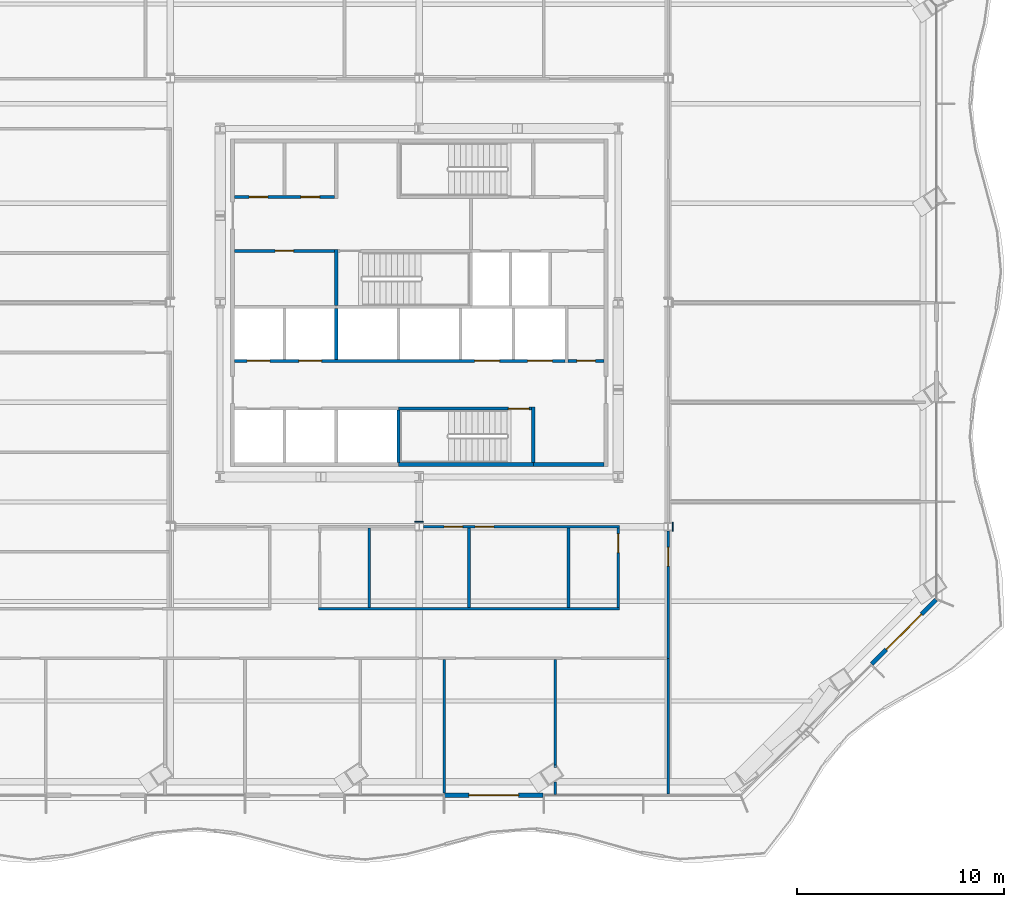
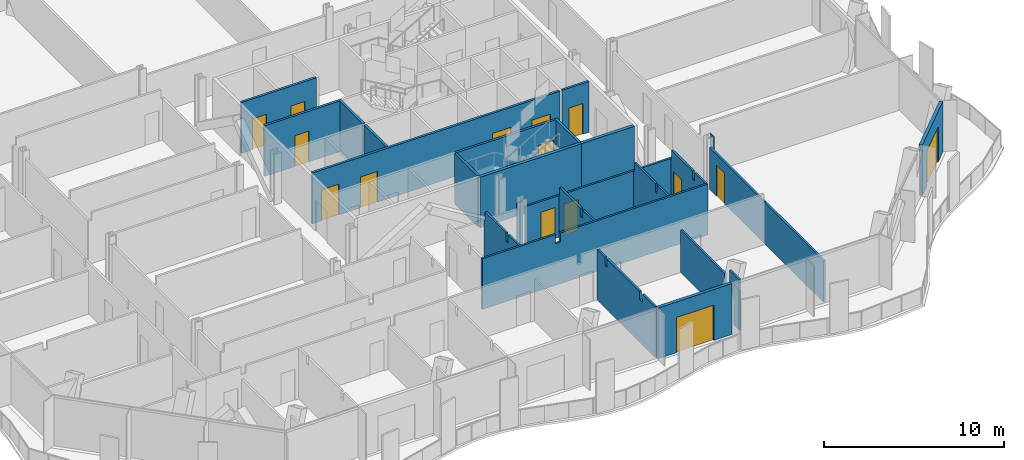
# One storey, part 8 of 20: 26 walls, 15 doors, 15 openings.
"""IFC4 building model written with IfcOpenShell, lengths in metres."""

from ifc_helpers import new_model, si_unit, direction, frame, frame_2d, origin, place, context, subcontext, project, spatial, polyline, rectangle, outline, extrude, material, layer, layer_set, type_object, element, fill, save


model = new_model("IFC4")

# Units and contexts
model_context = context("Model", 3, precision=1e-05, world=origin(), true_north=direction((0.0, 1.0)))
body_context = subcontext(model_context, "Body", "Model", "MODEL_VIEW")
ifc_project = project(units=[si_unit("LENGTHUNIT", "METRE"), si_unit("AREAUNIT", "SQUARE_METRE"), si_unit("VOLUMEUNIT", "CUBIC_METRE"), si_unit("PLANEANGLEUNIT", "RADIAN"), si_unit("MASSUNIT", "GRAM", prefix="KILO")], contexts=[model_context])

# Site, building, storey
site_placement = place(None, origin())
site = spatial("IfcSite", under=ifc_project, at=site_placement, CompositionType="ELEMENT")
building_placement = place(site_placement, origin())
building = spatial("IfcBuilding", under=site, at=building_placement, Name="Cairn Pilgrim Tower", CompositionType="ELEMENT")
storey_placement = place(building_placement, frame((0.0, 0.0, 101.39990234375)))
storey = spatial("IfcBuildingStorey", under=building, at=storey_placement, Name="L24", CompositionType="ELEMENT", Elevation=101.39990234375)

# Wall, opening, door
ifc_material_1 = material(Name="Bronze anodised aluminium insulated sandwich panel with mineral wool fill", Category="aluminium")
ifc_layer_1 = layer(ifc_material_1, 0.199951171875)
ifc_layer_set_1 = layer_set([ifc_layer_1], Name="BRONZE INFILL FRAME WALL 200")
wall_type_1 = type_object("IfcWallType", Name="BRONZE INFILL FRAME WALL 200", PredefinedType="NOTDEFINED", material=ifc_layer_set_1)
wall_1_placement = place(storey_placement, frame((8.429931640625, -21.35009765625, 0.0), z_axis=(0.0, 0.0, 1.0), x_axis=(1.0, 0.0, 0.0)))
wall_1 = element("IfcWall", 1, at=wall_1_placement, inside=storey, type_object=wall_type_1, Name="Bronze infill frame wall IW-S6", PredefinedType="NOTDEFINED", context=body_context, shape_type="SweptSolid", body=[
    extrude(rectangle(XDim=4.739990234375, YDim=0.199951171875, at=frame_2d((2.3701171875, 0.0))), origin(), (0.0, 0.0, 1.0), 3.4501953125),
])
opening_1_placement = place(wall_1_placement, frame((1.169921875, 0.0, 0.0)))
opening_1 = element("IfcOpeningElement", 2, at=opening_1_placement, cuts=wall_1, Name="Opening 2407B", PredefinedType="OPENING", context=body_context, shape_type="SweptSolid", body=[
    extrude(rectangle(XDim=2.39990234375, YDim=2.39990234375, at=frame_2d((1.199951171875, 1.199951171875))), frame((0.0, 0.10986328125, 0.0), z_axis=(0.0, -1.0, 0.0), x_axis=(1.0, 0.0, 0.0)), (0.0, 0.0, 1.0), 0.219970703125),
])
ifc_material_2 = material(Name="Bronze anodised aluminium frame with tinted low-E glass", Category="aluminium")
door_type_1 = type_object("IfcDoorType", Name="BALCONY SLIDING DOOR 2400x2400", OperationType="DOUBLE_DOOR_SLIDING", PredefinedType="DOOR", material=ifc_material_2)
door_1_placement = place(opening_1_placement, origin())
door_1 = element("IfcDoor", 3, at=door_1_placement, inside=storey, type_object=door_type_1, Name="Balcony sliding door 2407B", OperationType="SINGLE_SWING_LEFT", OverallHeight=2.39990234375, OverallWidth=2.39990234375, PredefinedType="DOOR", context=body_context, shape_type="SweptSolid", body=[
    extrude(rectangle(XDim=2.39990234375, YDim=2.39990234375, at=frame_2d((1.199951171875, 1.199951171875))), frame((0.0, 0.02490234375, 0.0), z_axis=(0.0, -1.0, 0.0), x_axis=(1.0, 0.0, 0.0)), (0.0, 0.0, 1.0), 0.050048828125),
])
fill(opening_1, door_1)

wall_2_placement = place(storey_placement, frame((29.02001953125, -15.0263671875, 0.0), z_axis=(0.0, 0.0, 1.0), x_axis=(0.707134609628, 0.70707895165, 0.0)))
wall_2 = element("IfcWall", 4, at=wall_2_placement, inside=storey, type_object=wall_type_1, Name="Bronze infill frame wall IW-SE3", PredefinedType="NOTDEFINED", context=body_context, shape_type="SweptSolid", body=[
    extrude(rectangle(XDim=4.386474609375, YDim=0.199951171875, at=frame_2d((2.193359375, 0.0))), origin(), (0.0, 0.0, 1.0), 3.4501953125),
])
opening_2_placement = place(wall_2_placement, frame((0.998046875, 0.0, 0.0)))
opening_2 = element("IfcOpeningElement", 5, at=opening_2_placement, cuts=wall_2, Name="Opening 2421B", PredefinedType="OPENING", context=body_context, shape_type="SweptSolid", body=[
    extrude(rectangle(XDim=2.39990234375, YDim=2.39990234375, at=frame_2d((1.199951171875, 1.199951171875))), frame((0.0, 0.10986328125, 0.0), z_axis=(0.0, -1.0, 0.0), x_axis=(1.0, 0.0, 0.0)), (0.0, 0.0, 1.0), 0.219970703125),
])
door_2_placement = place(opening_2_placement, origin())
door_2 = element("IfcDoor", 6, at=door_2_placement, inside=storey, type_object=door_type_1, Name="Balcony sliding door 2421B", OperationType="SINGLE_SWING_LEFT", OverallHeight=2.39990234375, OverallWidth=2.39990234375, PredefinedType="DOOR", context=body_context, shape_type="SweptSolid", body=[
    extrude(rectangle(XDim=2.39990234375, YDim=2.39990234375, at=frame_2d((1.199951171875, 1.199951171875))), frame((0.0, 0.02490234375, 0.0), z_axis=(0.0, -1.0, 0.0), x_axis=(1.0, 0.0, 0.0)), (0.0, 0.0, 1.0), 0.050048828125),
])
fill(opening_2, door_2)

# Wall
ifc_material_3 = material(Name="Concrete C32/40", Category="concrete")
ifc_layer_2 = layer(ifc_material_3, 0.199951171875)
ifc_layer_set_2 = layer_set([ifc_layer_2], Name="CORE OUTER WALL 200 EI 120")
wall_type_2 = type_object("IfcWallType", Name="CORE OUTER WALL 200 EI 120", PredefinedType="SOLIDWALL", material=ifc_layer_set_2)
wall_3_placement = place(storey_placement, frame((12.699951171875, -5.39990234375, 0.0), z_axis=(0.0, 0.0, 1.0), x_axis=(1.0, 0.0, 0.0)))
element("IfcWall", 7, at=wall_3_placement, inside=storey, type_object=wall_type_2, Name="CW:L24:H01-3", PredefinedType="SOLIDWALL", context=body_context, shape_type="SweptSolid", body=[
    extrude(rectangle(XDim=3.400146484375, YDim=0.199951171875, at=frame_2d((1.7001953125, 0.0))), origin(), (0.0, 0.0, 1.0), 3.4501953125),
])

# Wall, opening, door
ifc_layer_3 = layer(ifc_material_3, 0.14990234375)
ifc_layer_set_3 = layer_set([ifc_layer_3], Name="CORE PARTITION 150 EI 60")
wall_type_3 = type_object("IfcWallType", Name="CORE PARTITION 150 EI 60", PredefinedType="PARTITIONING", material=ifc_layer_set_3)
wall_4_placement = place(storey_placement, frame((14.375, -0.39990234375, 0.0), z_axis=(0.0, 0.0, 1.0), x_axis=(1.0, 0.0, 0.0)))
wall_4 = element("IfcWall", 8, at=wall_4_placement, inside=storey, type_object=wall_type_3, Name="CW:L24:H04", PredefinedType="PARTITIONING", context=body_context, shape_type="SweptSolid", body=[
    extrude(rectangle(XDim=1.72509765625, YDim=0.14990234375, at=frame_2d((0.862548828125, 0.0))), origin(), (0.0, 0.0, 1.0), 3.4501953125),
])
opening_3_placement = place(wall_4_placement, frame((0.425048828125, 0.0, 0.0)))
opening_3 = element("IfcOpeningElement", 9, at=opening_3_placement, cuts=wall_4, Name="Opening RD-R2E", PredefinedType="OPENING", context=body_context, shape_type="SweptSolid", body=[
    extrude(rectangle(XDim=0.89990234375, YDim=2.10009765625, at=frame_2d((0.449951171875, 1.050048828125))), frame((0.0, 0.0849609375, 0.0), z_axis=(0.0, -1.0, 0.0), x_axis=(1.0, 0.0, 0.0)), (0.0, 0.0, 1.0), 0.169921875),
])
ifc_material_4 = material(Name="Painted steel", Category="steel")
door_type_2 = type_object("IfcDoorType", Name="SERVICE ROOM DOOR 900x2100", OperationType="SINGLE_SWING_LEFT", PredefinedType="DOOR", material=ifc_material_4)
door_3_placement = place(opening_3_placement, origin())
door_3 = element("IfcDoor", 10, at=door_3_placement, inside=storey, type_object=door_type_2, Name="RD-R2E", OperationType="SINGLE_SWING_RIGHT", OverallHeight=2.10009765625, OverallWidth=0.89990234375, PredefinedType="DOOR", context=body_context, shape_type="SweptSolid", body=[
    extrude(rectangle(XDim=0.89990234375, YDim=2.10009765625, at=frame_2d((0.449951171875, 1.050048828125))), frame((0.0, 0.02490234375, 0.0), z_axis=(0.0, -1.0, 0.0), x_axis=(1.0, 0.0, 0.0)), (0.0, 0.0, 1.0), 0.050048828125),
])
fill(opening_3, door_3)

wall_5_placement = place(storey_placement, frame((-1.699951171875, 4.89990234375, 0.0), z_axis=(0.0, 0.0, 1.0), x_axis=(1.0, 0.0, 0.0)))
wall_5 = element("IfcWall", 11, at=wall_5_placement, inside=storey, type_object=wall_type_3, Name="CW:L24:H07", PredefinedType="PARTITIONING", context=body_context, shape_type="SweptSolid", body=[
    extrude(rectangle(XDim=4.824951171875, YDim=0.14990234375, at=frame_2d((2.41259765625, 0.0))), origin(), (0.0, 0.0, 1.0), 3.4501953125),
])
opening_4_placement = place(wall_5_placement, frame((1.949951171875, 0.0, 0.0)))
opening_4 = element("IfcOpeningElement", 12, at=opening_4_placement, cuts=wall_5, Name="Opening RD-R3W1", PredefinedType="OPENING", context=body_context, shape_type="SweptSolid", body=[
    extrude(rectangle(XDim=0.89990234375, YDim=2.10009765625, at=frame_2d((0.449951171875, 1.050048828125))), frame((0.0, 0.0849609375, 0.0), z_axis=(0.0, -1.0, 0.0), x_axis=(1.0, 0.0, 0.0)), (0.0, 0.0, 1.0), 0.169921875),
])
door_4_placement = place(opening_4_placement, origin())
door_4 = element("IfcDoor", 13, at=door_4_placement, inside=storey, type_object=door_type_2, Name="RD-R3W1", OperationType="SINGLE_SWING_LEFT", OverallHeight=2.10009765625, OverallWidth=0.89990234375, PredefinedType="DOOR", context=body_context, shape_type="SweptSolid", body=[
    extrude(rectangle(XDim=0.89990234375, YDim=2.10009765625, at=frame_2d((0.449951171875, 1.050048828125))), frame((0.0, 0.02490234375, 0.0), z_axis=(0.0, -1.0, 0.0), x_axis=(1.0, 0.0, 0.0)), (0.0, 0.0, 1.0), 0.050048828125),
])
fill(opening_4, door_4)

# Wall, openings, doors
wall_6_placement = place(storey_placement, frame((-1.699951171875, 7.5, 0.0), z_axis=(0.0, 0.0, 1.0), x_axis=(1.0, 0.0, 0.0)))
wall_6 = element("IfcWall", 14, at=wall_6_placement, inside=storey, type_object=wall_type_3, Name="CW:L24:H09", PredefinedType="PARTITIONING", context=body_context, shape_type="SweptSolid", body=[
    extrude(rectangle(XDim=4.824951171875, YDim=0.14990234375, at=frame_2d((2.41259765625, 0.0))), origin(), (0.0, 0.0, 1.0), 3.4501953125),
])
opening_5_placement = place(wall_6_placement, frame((0.699951171875, 0.0, 0.0)))
opening_5 = element("IfcOpeningElement", 15, at=opening_5_placement, cuts=wall_6, Name="Opening RD-R4W1", PredefinedType="OPENING", context=body_context, shape_type="SweptSolid", body=[
    extrude(rectangle(XDim=0.89990234375, YDim=2.10009765625, at=frame_2d((0.449951171875, 1.050048828125))), frame((0.0, 0.0849609375, 0.0), z_axis=(0.0, -1.0, 0.0), x_axis=(1.0, 0.0, 0.0)), (0.0, 0.0, 1.0), 0.169921875),
])
opening_6_placement = place(wall_6_placement, frame((3.199951171875, 0.0, 0.0)))
opening_6 = element("IfcOpeningElement", 16, at=opening_6_placement, cuts=wall_6, Name="Opening RD-R4W2", PredefinedType="OPENING", context=body_context, shape_type="SweptSolid", body=[
    extrude(rectangle(XDim=0.89990234375, YDim=2.10009765625, at=frame_2d((0.449951171875, 1.050048828125))), frame((0.0, 0.0849609375, 0.0), z_axis=(0.0, -1.0, 0.0), x_axis=(1.0, 0.0, 0.0)), (0.0, 0.0, 1.0), 0.169921875),
])
door_5_placement = place(opening_5_placement, origin())
door_5 = element("IfcDoor", 17, at=door_5_placement, inside=storey, type_object=door_type_2, Name="RD-R4W1", OperationType="SINGLE_SWING_RIGHT", OverallHeight=2.10009765625, OverallWidth=0.89990234375, PredefinedType="DOOR", context=body_context, shape_type="SweptSolid", body=[
    extrude(rectangle(XDim=0.89990234375, YDim=2.10009765625, at=frame_2d((0.449951171875, 1.050048828125))), frame((0.0, 0.02490234375, 0.0), z_axis=(0.0, -1.0, 0.0), x_axis=(1.0, 0.0, 0.0)), (0.0, 0.0, 1.0), 0.050048828125),
])
fill(opening_5, door_5)
door_6_placement = place(opening_6_placement, origin())
door_6 = element("IfcDoor", 18, at=door_6_placement, inside=storey, type_object=door_type_2, Name="RD-R4W2", OperationType="SINGLE_SWING_LEFT", OverallHeight=2.10009765625, OverallWidth=0.89990234375, PredefinedType="DOOR", context=body_context, shape_type="SweptSolid", body=[
    extrude(rectangle(XDim=0.89990234375, YDim=2.10009765625, at=frame_2d((0.449951171875, 1.050048828125))), frame((0.0, 0.02490234375, 0.0), z_axis=(0.0, -1.0, 0.0), x_axis=(1.0, 0.0, 0.0)), (0.0, 0.0, 1.0), 0.050048828125),
])
fill(opening_6, door_6)

ifc_layer_4 = layer(ifc_material_3, 0.14990234375)
ifc_layer_set_4 = layer_set([ifc_layer_4], Name="CORE SHAFT WALL 150 EI 120")
wall_type_4 = type_object("IfcWallType", Name="CORE SHAFT WALL 150 EI 120", PredefinedType="SOLIDWALL", material=ifc_layer_set_4)
wall_7_placement = place(storey_placement, frame((-1.699951171875, -0.39990234375, 0.0), z_axis=(0.0, 0.0, 1.0), x_axis=(1.0, 0.0, 0.0)))
wall_7 = element("IfcWall", 19, at=wall_7_placement, inside=storey, type_object=wall_type_4, Name="CW:L24:H03", PredefinedType="SOLIDWALL", context=body_context, shape_type="SweptSolid", body=[
    extrude(rectangle(XDim=15.925048828125, YDim=0.14990234375, at=frame_2d((7.96240234375, 0.0))), origin(), (0.0, 0.0, 1.0), 3.4501953125),
])
opening_7_placement = place(wall_7_placement, frame((0.60009765625, 0.0, 0.0)))
opening_7 = element("IfcOpeningElement", 20, at=opening_7_placement, cuts=wall_7, Name="Opening LD-LR3", PredefinedType="OPENING", context=body_context, shape_type="SweptSolid", body=[
    extrude(rectangle(XDim=1.10009765625, YDim=2.10009765625, at=frame_2d((0.550048828125, 1.050048828125))), frame((0.0, 0.0849609375, 0.0), z_axis=(0.0, -1.0, 0.0), x_axis=(1.0, 0.0, 0.0)), (0.0, 0.0, 1.0), 0.169921875),
])
opening_8_placement = place(wall_7_placement, frame((3.10009765625, 0.0, 0.0)))
opening_8 = element("IfcOpeningElement", 21, at=opening_8_placement, cuts=wall_7, Name="Opening LD-LR4", PredefinedType="OPENING", context=body_context, shape_type="SweptSolid", body=[
    extrude(rectangle(XDim=1.10009765625, YDim=2.10009765625, at=frame_2d((0.550048828125, 1.050048828125))), frame((0.0, 0.0849609375, 0.0), z_axis=(0.0, -1.0, 0.0), x_axis=(1.0, 0.0, 0.0)), (0.0, 0.0, 1.0), 0.169921875),
])
opening_9_placement = place(wall_7_placement, frame((11.574951171875, 0.0, 0.0)))
opening_9 = element("IfcOpeningElement", 22, at=opening_9_placement, cuts=wall_7, Name="Opening LD-SV1", PredefinedType="OPENING", context=body_context, shape_type="SweptSolid", body=[
    extrude(rectangle(XDim=1.199951171875, YDim=2.10009765625, at=frame_2d((0.60009765625, 1.050048828125))), frame((0.0, 0.0849609375, 0.0), z_axis=(0.0, -1.0, 0.0), x_axis=(1.0, 0.0, 0.0)), (0.0, 0.0, 1.0), 0.169921875),
])
opening_10_placement = place(wall_7_placement, frame((14.125, 0.0, 0.0)))
opening_10 = element("IfcOpeningElement", 23, at=opening_10_placement, cuts=wall_7, Name="Opening LD-SV2", PredefinedType="OPENING", context=body_context, shape_type="SweptSolid", body=[
    extrude(rectangle(XDim=1.199951171875, YDim=2.10009765625, at=frame_2d((0.60009765625, 1.050048828125))), frame((0.0, 0.0849609375, 0.0), z_axis=(0.0, -1.0, 0.0), x_axis=(1.0, 0.0, 0.0)), (0.0, 0.0, 1.0), 0.169921875),
])
ifc_material_5 = material(Name="Stainless steel", Category="steel")
door_type_3 = type_object("IfcDoorType", Name="LIFT LANDING DOOR 1100x2100", OperationType="DOUBLE_DOOR_SLIDING", PredefinedType="DOOR", material=ifc_material_5)
door_7_placement = place(opening_7_placement, origin())
door_7 = element("IfcDoor", 24, at=door_7_placement, inside=storey, type_object=door_type_3, Name="LANDING DOOR LR3", OperationType="DOUBLE_DOOR_SLIDING", OverallHeight=2.10009765625, OverallWidth=1.10009765625, PredefinedType="DOOR", context=body_context, shape_type="SweptSolid", body=[
    extrude(rectangle(XDim=1.10009765625, YDim=2.10009765625, at=frame_2d((0.550048828125, 1.050048828125))), frame((0.0, 0.02490234375, 0.0), z_axis=(0.0, -1.0, 0.0), x_axis=(1.0, 0.0, 0.0)), (0.0, 0.0, 1.0), 0.050048828125),
])
fill(opening_7, door_7)
door_8_placement = place(opening_8_placement, origin())
door_8 = element("IfcDoor", 25, at=door_8_placement, inside=storey, type_object=door_type_3, Name="LANDING DOOR LR4", OperationType="DOUBLE_DOOR_SLIDING", OverallHeight=2.10009765625, OverallWidth=1.10009765625, PredefinedType="DOOR", context=body_context, shape_type="SweptSolid", body=[
    extrude(rectangle(XDim=1.10009765625, YDim=2.10009765625, at=frame_2d((0.550048828125, 1.050048828125))), frame((0.0, 0.02490234375, 0.0), z_axis=(0.0, -1.0, 0.0), x_axis=(1.0, 0.0, 0.0)), (0.0, 0.0, 1.0), 0.050048828125),
])
fill(opening_8, door_8)
door_type_4 = type_object("IfcDoorType", Name="LIFT LANDING DOOR 1200x2100", OperationType="DOUBLE_DOOR_SLIDING", PredefinedType="DOOR", material=ifc_material_5)
door_9_placement = place(opening_9_placement, origin())
door_9 = element("IfcDoor", 26, at=door_9_placement, inside=storey, type_object=door_type_4, Name="LANDING DOOR SV1", OperationType="DOUBLE_DOOR_SLIDING", OverallHeight=2.10009765625, OverallWidth=1.199951171875, PredefinedType="DOOR", context=body_context, shape_type="SweptSolid", body=[
    extrude(rectangle(XDim=1.199951171875, YDim=2.10009765625, at=frame_2d((0.60009765625, 1.050048828125))), frame((0.0, 0.02490234375, 0.0), z_axis=(0.0, -1.0, 0.0), x_axis=(1.0, 0.0, 0.0)), (0.0, 0.0, 1.0), 0.050048828125),
])
fill(opening_9, door_9)
door_10_placement = place(opening_10_placement, origin())
door_10 = element("IfcDoor", 27, at=door_10_placement, inside=storey, type_object=door_type_4, Name="LANDING DOOR SV2", OperationType="DOUBLE_DOOR_SLIDING", OverallHeight=2.10009765625, OverallWidth=1.199951171875, PredefinedType="DOOR", context=body_context, shape_type="SweptSolid", body=[
    extrude(rectangle(XDim=1.199951171875, YDim=2.10009765625, at=frame_2d((0.60009765625, 1.050048828125))), frame((0.0, 0.02490234375, 0.0), z_axis=(0.0, -1.0, 0.0), x_axis=(1.0, 0.0, 0.0)), (0.0, 0.0, 1.0), 0.050048828125),
])
fill(opening_10, door_10)

# Walls
wall_8_placement = place(storey_placement, frame((3.199951171875, -0.324951171875, 0.0), z_axis=(0.0, 0.0, 1.0), x_axis=(0.0, 1.0, 0.0)))
element("IfcWall", 28, at=wall_8_placement, inside=storey, type_object=wall_type_4, Name="CW:L24:V17", PredefinedType="SOLIDWALL", context=body_context, shape_type="SweptSolid", body=[
    extrude(rectangle(XDim=2.449951171875, YDim=0.14990234375, at=frame_2d((1.22509765625, 0.0))), origin(), (0.0, 0.0, 1.0), 3.4501953125),
])
ifc_material_6 = material(Name="Gypsum partition")
ifc_layer_5 = layer(ifc_material_6, 0.125)
ifc_layer_set_5 = layer_set([ifc_layer_5], Name="PARTITION 125 DRYWALL EI 60")
wall_type_5 = type_object("IfcWallType", Name="PARTITION 125 DRYWALL EI 60", PredefinedType="PARTITIONING", material=ifc_layer_set_5)
wall_9_placement = place(storey_placement, frame((13.77001953125, -21.302978515625, 0.0), z_axis=(0.0, 0.0, 1.0), x_axis=(0.0, 1.0, 0.0)))
element("IfcWall", 29, at=wall_9_placement, inside=storey, type_object=wall_type_5, Name="PARTITION W004", PredefinedType="PARTITIONING", context=body_context, shape_type="SweptSolid", body=[
    extrude(outline(polyline([(0.0, 0.0), (0.5849609375, 0.0), (0.5849609375, 0.862548828125), (0.5849609375, 1.72509765625), (1.059326171875, 2.587646484375), (1.059326171875, 3.4501953125), (0.0, 3.4501953125), (0.0, 2.587646484375), (0.0, 1.72509765625), (0.0, 0.862548828125), (0.0, 0.0)])), frame((0.0, 0.0625, 0.0), z_axis=(0.0, -1.0, 0.0), x_axis=(1.0, 0.0, 0.0)), (0.0, 0.0, 1.0), 0.125),
])
wall_10_placement = place(storey_placement, frame((19.199951171875, -21.2900390625, 0.0), z_axis=(0.0, 0.0, 1.0), x_axis=(0.0, 1.0, 0.0)))
element("IfcWall", 30, at=wall_10_placement, inside=storey, type_object=wall_type_5, Name="PARTITION W005", PredefinedType="PARTITIONING", context=body_context, shape_type="SweptSolid", body=[
    extrude(rectangle(XDim=6.5400390625, YDim=0.125, at=frame_2d((3.27001953125, 0.0))), origin(), (0.0, 0.0, 1.0), 2.830078125),
])
wall_11_placement = place(storey_placement, frame((8.39990234375, -21.25, 0.0), z_axis=(0.0, 0.0, 1.0), x_axis=(0.0, 1.0, 0.0)))
element("IfcWall", 31, at=wall_11_placement, inside=storey, type_object=wall_type_5, Name="PARTITION W008", PredefinedType="PARTITIONING", context=body_context, shape_type="SweptSolid", body=[
    extrude(outline(polyline([(0.0, 0.0), (6.4375, 0.0), (6.4375, 3.4501953125), (5.563720703125, 3.4501953125), (5.5615234375, 2.880126953125), (5.353515625, 2.880126953125), (5.3515625, 3.4501953125), (1.70849609375, 3.4501953125), (1.70654296875, 2.93017578125), (1.40869140625, 2.93017578125), (1.406494140625, 3.4501953125), (0.0, 3.4501953125), (0.0, 0.0)])), frame((0.0, 0.0625, 0.0), z_axis=(0.0, -1.0, 0.0), x_axis=(1.0, 0.0, 0.0)), (0.0, 0.0, 1.0), 0.125),
])
wall_12_placement = place(storey_placement, frame((13.77001953125, -20.010986328125, 0.0), z_axis=(0.0, 0.0, 1.0), x_axis=(0.0, 1.0, 0.0)))
element("IfcWall", 32, at=wall_12_placement, inside=storey, type_object=wall_type_5, Name="PARTITION W012", PredefinedType="PARTITIONING", context=body_context, shape_type="SweptSolid", body=[
    extrude(outline(polyline([(0.0, 0.0), (5.198486328125, 0.0), (5.198486328125, 0.862548828125), (5.198486328125, 1.72509765625), (5.198486328125, 2.587646484375), (5.198486328125, 2.880126953125), (0.337646484375, 2.880126953125), (0.337646484375, 2.587646484375), (0.337646484375, 1.72509765625), (0.0, 0.862548828125), (0.0, 0.0)])), frame((0.0, 0.0625, 0.0), z_axis=(0.0, -1.0, 0.0), x_axis=(1.0, 0.0, 0.0)), (0.0, 0.0, 1.0), 0.125),
])

# Wall, opening, door
wall_13_placement = place(storey_placement, frame((19.199951171875, -14.75, 0.0), z_axis=(0.0, 0.0, 1.0), x_axis=(0.0, 1.0, 0.0)))
wall_13 = element("IfcWall", 33, at=wall_13_placement, inside=storey, type_object=wall_type_5, Name="PARTITION W016", PredefinedType="PARTITIONING", context=body_context, shape_type="SweptSolid", body=[
    extrude(rectangle(XDim=6.137451171875, YDim=0.125, at=frame_2d((3.06884765625, 0.0))), origin(), (0.0, 0.0, 1.0), 2.830078125),
])
opening_11_placement = place(wall_13_placement, frame((4.449951171875, 0.0, 0.0)))
opening_11 = element("IfcOpeningElement", 34, at=opening_11_placement, cuts=wall_13, Name="Opening 2421", PredefinedType="OPENING", context=body_context, shape_type="SweptSolid", body=[
    extrude(rectangle(XDim=0.89990234375, YDim=2.10009765625, at=frame_2d((0.449951171875, 1.050048828125))), frame((0.0, 0.072509765625, 0.0), z_axis=(0.0, -1.0, 0.0), x_axis=(1.0, 0.0, 0.0)), (0.0, 0.0, 1.0), 0.14501953125),
])
ifc_material_7 = material(Name="Steel-faced fire door leaf", Category="steel")
door_type_5 = type_object("IfcDoorType", Name="FIRE DOOR 900x2100 FD30S", OperationType="NOTDEFINED", PredefinedType="DOOR", material=ifc_material_7)
door_11_placement = place(opening_11_placement, frame((0.89990234375, 0.0, 0.0), z_axis=(0.0, 0.0, 1.0), x_axis=(-1.0, 0.0, 0.0)))
door_11 = element("IfcDoor", 35, at=door_11_placement, inside=storey, type_object=door_type_5, Name="DOOR 2421", OperationType="SINGLE_SWING_RIGHT", OverallHeight=2.10009765625, OverallWidth=0.89990234375, PredefinedType="DOOR", context=body_context, shape_type="SweptSolid", body=[
    extrude(rectangle(XDim=0.89990234375, YDim=2.10009765625, at=frame_2d((0.449951171875, 1.050048828125))), frame((0.0, 0.02490234375, 0.0), z_axis=(0.0, -1.0, 0.0), x_axis=(1.0, 0.0, 0.0)), (0.0, 0.0, 1.0), 0.050048828125),
])
fill(opening_11, door_11)

# Walls
wall_14_placement = place(storey_placement, frame((2.33740234375, -12.35009765625, 0.0), z_axis=(0.0, 0.0, 1.0), x_axis=(1.0, 0.0, 0.0)))
element("IfcWall", 36, at=wall_14_placement, inside=storey, type_object=wall_type_5, Name="PARTITION W022", PredefinedType="PARTITIONING", context=body_context, shape_type="SweptSolid", body=[
    extrude(outline(polyline([(0.0, 0.0), (14.525146484375, 0.0), (14.52490234375, 3.4501953125), (5.012451171875, 3.4501953125), (5.010498046875, 2.830078125), (4.71240234375, 2.830078125), (4.71044921875, 3.4501953125), (0.0, 3.4501953125), (0.0, 0.0)])), frame((0.0, 0.0625, 0.0), z_axis=(0.0, -1.0, 0.0), x_axis=(1.0, 0.0, 0.0)), (0.0, 0.0, 1.0), 0.125),
])
for number, where, z_axis, x_axis, name in (
    (37, (4.800048828125, -12.28759765625, 0.0), (0.0, 0.0, 1.0), (0.0, 1.0, 0.0), "PARTITION W024"),
    (38, (9.60009765625, -12.28759765625, 0.0), (0.0, 0.0, 1.0), (0.0, 1.0, 0.0), "PARTITION W025"),
    (39, (14.39990234375, -12.28759765625, 0.0), (0.0, 0.0, 1.0), (0.0, 1.0, 0.0), "PARTITION W026"),
):
    element("IfcWall", number, at=place(storey_placement, frame(where, z_axis=z_axis, x_axis=x_axis)), inside=storey, type_object=wall_type_5, Name=name, PredefinedType="PARTITIONING", context=body_context, shape_type="SweptSolid", body=[
        extrude(outline(polyline([(0.0, 0.0), (3.8251953125, 0.0), (3.824951171875, 2.830078125), (3.737548828125, 2.830078125), (3.735595703125, 3.4501953125), (1.401123046875, 3.4501953125), (1.399169921875, 2.880126953125), (1.191162109375, 2.880126953125), (1.189208984375, 3.4501953125), (0.0, 3.4501953125), (0.0, 0.0)])), frame((0.0, 0.0625, 0.0), z_axis=(0.0, -1.0, 0.0), x_axis=(1.0, 0.0, 0.0)), (0.0, 0.0, 1.0), 0.125),
    ])

# Wall, opening, door
wall_15_placement = place(storey_placement, frame((16.800048828125, -12.28759765625, 0.0), z_axis=(0.0, 0.0, 1.0), x_axis=(0.0, 1.0, 0.0)))
wall_15 = element("IfcWall", 40, at=wall_15_placement, inside=storey, type_object=wall_type_5, Name="PARTITION W027", PredefinedType="PARTITIONING", context=body_context, shape_type="SweptSolid", body=[
    extrude(outline(polyline([(0.0, 0.0), (3.8251953125, 0.0), (3.824951171875, 2.830078125), (3.737548828125, 2.830078125), (3.735595703125, 3.4501953125), (1.401123046875, 3.4501953125), (1.399169921875, 2.880126953125), (1.191162109375, 2.880126953125), (1.189208984375, 3.4501953125), (0.0, 3.4501953125), (0.0, 0.0)])), frame((0.0, 0.0625, 0.0), z_axis=(0.0, -1.0, 0.0), x_axis=(1.0, 0.0, 0.0)), (0.0, 0.0, 1.0), 0.125),
])
opening_12_placement = place(wall_15_placement, frame((2.637451171875, 0.0, 0.0)))
opening_12 = element("IfcOpeningElement", 41, at=opening_12_placement, cuts=wall_15, Name="Opening 2434", PredefinedType="OPENING", context=body_context, shape_type="SweptSolid", body=[
    extrude(rectangle(XDim=0.89990234375, YDim=2.10009765625, at=frame_2d((0.449951171875, 1.050048828125))), frame((0.0, 0.072509765625, 0.0), z_axis=(0.0, -1.0, 0.0), x_axis=(1.0, 0.0, 0.0)), (0.0, 0.0, 1.0), 0.14501953125),
])
door_12_placement = place(opening_12_placement, origin())
door_12 = element("IfcDoor", 42, at=door_12_placement, inside=storey, type_object=door_type_5, Name="DOOR 2434", OperationType="SINGLE_SWING_LEFT", OverallHeight=2.10009765625, OverallWidth=0.89990234375, PredefinedType="DOOR", context=body_context, shape_type="SweptSolid", body=[
    extrude(rectangle(XDim=0.89990234375, YDim=2.10009765625, at=frame_2d((0.449951171875, 1.050048828125))), frame((0.0, 0.02490234375, 0.0), z_axis=(0.0, -1.0, 0.0), x_axis=(1.0, 0.0, 0.0)), (0.0, 0.0, 1.0), 0.050048828125),
])
fill(opening_12, door_12)

# Wall, openings, doors
wall_16_placement = place(storey_placement, frame((7.404541015625, -8.39990234375, 0.0), z_axis=(0.0, 0.0, 1.0), x_axis=(1.0, 0.0, 0.0)))
wall_16 = element("IfcWall", 43, at=wall_16_placement, inside=storey, type_object=wall_type_5, Name="PARTITION W034", PredefinedType="PARTITIONING", context=body_context, shape_type="SweptSolid", body=[
    extrude(rectangle(XDim=9.4580078125, YDim=0.125, at=frame_2d((4.72900390625, 0.0))), origin(), (0.0, 0.0, 1.0), 2.830078125),
])
opening_13_placement = place(wall_16_placement, frame((0.99560546875, 0.0, 0.0)))
opening_13 = element("IfcOpeningElement", 44, at=opening_13_placement, cuts=wall_16, Name="Opening 2432", PredefinedType="OPENING", context=body_context, shape_type="SweptSolid", body=[
    extrude(rectangle(XDim=0.89990234375, YDim=2.10009765625, at=frame_2d((0.449951171875, 1.050048828125))), frame((0.0, 0.072509765625, 0.0), z_axis=(0.0, -1.0, 0.0), x_axis=(1.0, 0.0, 0.0)), (0.0, 0.0, 1.0), 0.14501953125),
])
opening_14_placement = place(wall_16_placement, frame((2.49560546875, 0.0, 0.0)))
opening_14 = element("IfcOpeningElement", 45, at=opening_14_placement, cuts=wall_16, Name="Opening 2433", PredefinedType="OPENING", context=body_context, shape_type="SweptSolid", body=[
    extrude(rectangle(XDim=0.89990234375, YDim=2.10009765625, at=frame_2d((0.449951171875, 1.050048828125))), frame((0.0, 0.072509765625, 0.0), z_axis=(0.0, -1.0, 0.0), x_axis=(1.0, 0.0, 0.0)), (0.0, 0.0, 1.0), 0.14501953125),
])
door_13_placement = place(opening_13_placement, frame((0.89990234375, 0.0, 0.0), z_axis=(0.0, 0.0, 1.0), x_axis=(-1.0, 0.0, 0.0)))
door_13 = element("IfcDoor", 46, at=door_13_placement, inside=storey, type_object=door_type_5, Name="DOOR 2432", OperationType="SINGLE_SWING_LEFT", OverallHeight=2.10009765625, OverallWidth=0.89990234375, PredefinedType="DOOR", context=body_context, shape_type="SweptSolid", body=[
    extrude(rectangle(XDim=0.89990234375, YDim=2.10009765625, at=frame_2d((0.449951171875, 1.050048828125))), frame((0.0, 0.02490234375, 0.0), z_axis=(0.0, -1.0, 0.0), x_axis=(1.0, 0.0, 0.0)), (0.0, 0.0, 1.0), 0.050048828125),
])
fill(opening_13, door_13)
door_14_placement = place(opening_14_placement, frame((0.89990234375, 0.0, 0.0), z_axis=(0.0, 0.0, 1.0), x_axis=(-1.0, 0.0, 0.0)))
door_14 = element("IfcDoor", 47, at=door_14_placement, inside=storey, type_object=door_type_5, Name="DOOR 2433", OperationType="SINGLE_SWING_RIGHT", OverallHeight=2.10009765625, OverallWidth=0.89990234375, PredefinedType="DOOR", context=body_context, shape_type="SweptSolid", body=[
    extrude(rectangle(XDim=0.89990234375, YDim=2.10009765625, at=frame_2d((0.449951171875, 1.050048828125))), frame((0.0, 0.02490234375, 0.0), z_axis=(0.0, -1.0, 0.0), x_axis=(1.0, 0.0, 0.0)), (0.0, 0.0, 1.0), 0.050048828125),
])
fill(opening_14, door_14)

# Walls
ifc_layer_6 = layer(ifc_material_6, 0.050048828125)
ifc_layer_set_6 = layer_set([ifc_layer_6], Name="PARTITION 50 DRYWALL EI 60")
wall_type_6 = type_object("IfcWallType", Name="PARTITION 50 DRYWALL EI 60", PredefinedType="PARTITIONING", material=ifc_layer_set_6)
wall_17_placement = place(storey_placement, frame((19.429443359375, -8.612548828125, 0.0), z_axis=(0.0, 0.0, 1.0), x_axis=(0.0, 1.0, 0.0)))
element("IfcWall", 48, at=wall_17_placement, inside=storey, type_object=wall_type_6, Name="COLUMN CASING WC01", PredefinedType="PARTITIONING", context=body_context, shape_type="SweptSolid", body=[
    extrude(rectangle(XDim=0.425048828125, YDim=0.050048828125, at=frame_2d((0.21240234375, 0.0))), origin(), (0.0, 0.0, 1.0), 3.4501953125),
])
wall_18_placement = place(storey_placement, frame((6.99560546875, -8.16259765625, 0.0), z_axis=(0.0, 0.0, 1.0), x_axis=(1.0, 0.0, 0.0)))
element("IfcWall", 49, at=wall_18_placement, inside=storey, type_object=wall_type_6, Name="COLUMN CASING WC09", PredefinedType="PARTITIONING", context=body_context, shape_type="SweptSolid", body=[
    extrude(rectangle(XDim=0.408935546875, YDim=0.050048828125, at=frame_2d((0.20458984375, 0.0))), origin(), (0.0, 0.0, 1.0), 3.030029296875),
])

# Wall, opening, door
ifc_material_8 = material(Name="Concrete C35/45", Category="concrete")
ifc_layer_7 = layer(ifc_material_8, 0.14990234375)
ifc_layer_set_7 = layer_set([ifc_layer_7], Name="STAIR SHAFT WALL 150 EI 120")
wall_type_7 = type_object("IfcWallType", Name="STAIR SHAFT WALL 150 EI 120", PredefinedType="SOLIDWALL", material=ifc_layer_set_7)
wall_19_placement = place(storey_placement, frame((6.199951171875, -2.699951171875, 0.0), z_axis=(0.0, 0.0, 1.0), x_axis=(1.0, 0.0, 0.0)))
wall_19 = element("IfcWall", 50, at=wall_19_placement, inside=storey, type_object=wall_type_7, Name="CW:L24:H02-2", PredefinedType="SOLIDWALL", context=body_context, shape_type="SweptSolid", body=[
    extrude(rectangle(XDim=6.425048828125, YDim=0.14990234375, at=frame_2d((3.21240234375, 0.0))), origin(), (0.0, 0.0, 1.0), 3.4501953125),
])
opening_15_placement = place(wall_19_placement, frame((5.300048828125, 0.0, 0.0)))
opening_15 = element("IfcOpeningElement", 51, at=opening_15_placement, cuts=wall_19, Name="Opening SD-A", PredefinedType="OPENING", context=body_context, shape_type="SweptSolid", body=[
    extrude(rectangle(XDim=1.0, YDim=2.10009765625, at=frame_2d((0.5, 1.050048828125))), frame((0.0, 0.0849609375, 0.0), z_axis=(0.0, -1.0, 0.0), x_axis=(1.0, 0.0, 0.0)), (0.0, 0.0, 1.0), 0.169921875),
])
door_type_6 = type_object("IfcDoorType", Name="STAIR DOOR FD60S 1000x2100", OperationType="SINGLE_SWING_LEFT", PredefinedType="DOOR", material=ifc_material_4)
door_15_placement = place(opening_15_placement, origin())
door_15 = element("IfcDoor", 52, at=door_15_placement, inside=storey, type_object=door_type_6, Name="SD-A", OperationType="SINGLE_SWING_LEFT", OverallHeight=2.10009765625, OverallWidth=1.0, PredefinedType="DOOR", context=body_context, shape_type="SweptSolid", body=[
    extrude(rectangle(XDim=1.0, YDim=2.10009765625, at=frame_2d((0.5, 1.050048828125))), frame((0.0, 0.02490234375, 0.0), z_axis=(0.0, -1.0, 0.0), x_axis=(1.0, 0.0, 0.0)), (0.0, 0.0, 1.0), 0.050048828125),
])
fill(opening_15, door_15)

# Walls
wall_20_placement = place(storey_placement, frame((3.199951171875, 2.27490234375, 0.0), z_axis=(0.0, 0.0, 1.0), x_axis=(0.0, 1.0, 0.0)))
element("IfcWall", 53, at=wall_20_placement, inside=storey, type_object=wall_type_7, Name="CW:L24:V18", PredefinedType="SOLIDWALL", context=body_context, shape_type="SweptSolid", body=[
    extrude(rectangle(XDim=2.7001953125, YDim=0.14990234375, at=frame_2d((1.35009765625, 0.0))), origin(), (0.0, 0.0, 1.0), 3.4501953125),
])
wall_21_placement = place(storey_placement, frame((6.199951171875, -5.300048828125, 0.0), z_axis=(0.0, 0.0, 1.0), x_axis=(0.0, 1.0, 0.0)))
element("IfcWall", 54, at=wall_21_placement, inside=storey, type_object=wall_type_7, Name="CW:L24:V20", PredefinedType="SOLIDWALL", context=body_context, shape_type="SweptSolid", body=[
    extrude(rectangle(XDim=2.525146484375, YDim=0.14990234375, at=frame_2d((1.2626953125, 0.0))), origin(), (0.0, 0.0, 1.0), 3.4501953125),
])
wall_22_placement = place(storey_placement, frame((12.699951171875, -5.300048828125, 0.0), z_axis=(0.0, 0.0, 1.0), x_axis=(0.0, 1.0, 0.0)))
element("IfcWall", 55, at=wall_22_placement, inside=storey, type_object=wall_type_7, Name="CW:L24:V28", PredefinedType="SOLIDWALL", context=body_context, shape_type="SweptSolid", body=[
    extrude(rectangle(XDim=2.675048828125, YDim=0.14990234375, at=frame_2d((1.33740234375, 0.0))), origin(), (0.0, 0.0, 1.0), 3.4501953125),
])
ifc_layer_8 = layer(ifc_material_8, 0.199951171875)
ifc_layer_set_8 = layer_set([ifc_layer_8], Name="STAIR SHAFT WALL 200 EI 120")
wall_type_8 = type_object("IfcWallType", Name="STAIR SHAFT WALL 200 EI 120", PredefinedType="SOLIDWALL", material=ifc_layer_set_8)
wall_23_placement = place(storey_placement, frame((6.199951171875, -5.39990234375, 0.0), z_axis=(0.0, 0.0, 1.0), x_axis=(1.0, 0.0, 0.0)))
element("IfcWall", 56, at=wall_23_placement, inside=storey, type_object=wall_type_8, Name="CW:L24:H01-2", PredefinedType="SOLIDWALL", context=body_context, shape_type="SweptSolid", body=[
    extrude(rectangle(XDim=6.5, YDim=0.199951171875, at=frame_2d((3.25, 0.0))), origin(), (0.0, 0.0, 1.0), 3.4501953125),
])

save(model, "model.ifc")
